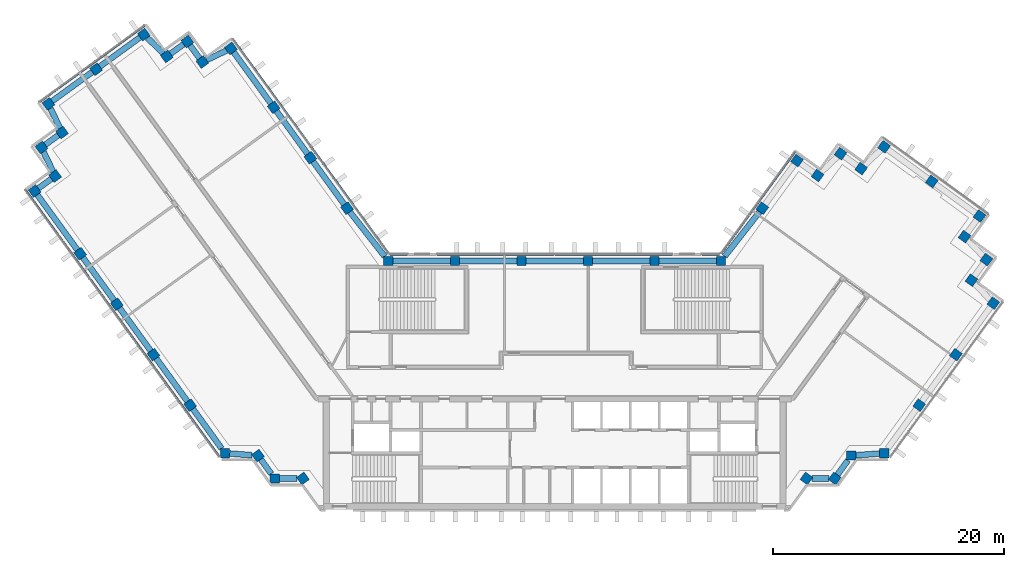
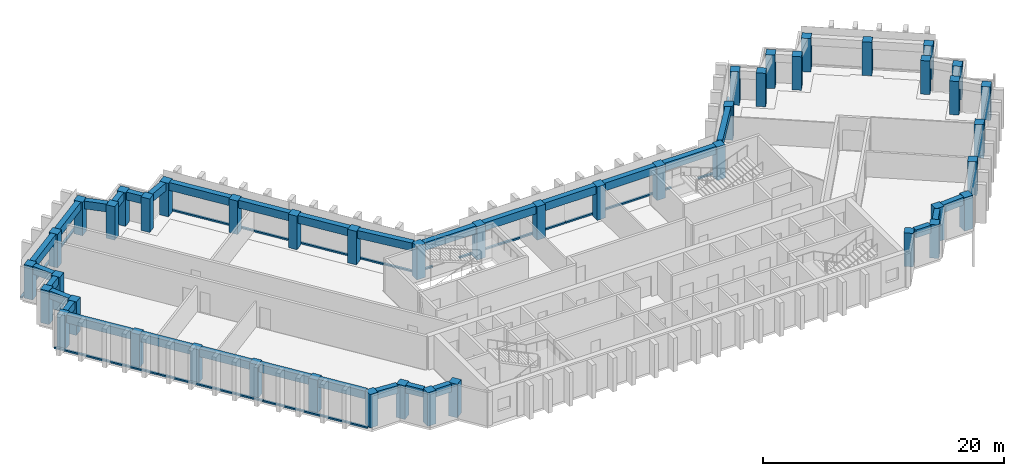
"""IFC4 building model written with IfcOpenShell, lengths in metres."""

from ifc_helpers import new_model, si_unit, direction, frame, origin, origin_2d, place, context, subcontext, project, spatial, rectangle, extrude, material, material_profile, profile_set, type_object, element, aggregate, save


model = new_model("IFC4")

# Units and contexts
model_context = context("Model", 3, precision=1e-05, world=origin(), true_north=direction((0.0, 1.0)))
body_context = subcontext(model_context, "Body", "Model", "MODEL_VIEW")
ifc_project = project(units=[si_unit("LENGTHUNIT", "METRE"), si_unit("AREAUNIT", "SQUARE_METRE"), si_unit("VOLUMEUNIT", "CUBIC_METRE"), si_unit("PLANEANGLEUNIT", "RADIAN"), si_unit("MASSUNIT", "GRAM", prefix="KILO")], contexts=[model_context])

# Site, building, storey
site_placement = place(None, origin())
site = spatial("IfcSite", under=ifc_project, at=site_placement, CompositionType="ELEMENT")
building_placement = place(site_placement, origin())
building = spatial("IfcBuilding", under=site, at=building_placement, Name="Quipu Civic Tower", CompositionType="ELEMENT")
storey_1_placement = place(building_placement, frame((0.0, 0.0, 238.0)))
storey_1 = spatial("IfcBuildingStorey", under=building, at=storey_1_placement, Name="L56", CompositionType="ELEMENT", Elevation=238.0)

# Columns
ifc_material_1 = material(Name="Concrete C50/60", Category="concrete")
ifc_material_profile_1 = material_profile(ifc_material_1, rectangle(XDim=0.800048828125, YDim=0.800048828125, at=origin_2d()), Name="RC800x800")
ifc_profile_set_1 = profile_set([ifc_material_profile_1], Name="Concrete C50/60")
column_type = type_object("IfcColumnType", Name="Perimeter column RC 800x800 C50/60", PredefinedType="COLUMN", material=ifc_profile_set_1)
for number, where, z_axis, x_axis, name in (
    (1, (-17.9736328125, 15.074951171875, 0.0), (0.0, 0.0, 1.0), (-0.587785252292, 0.809016994375, 0.0), "Column L56 W-IN-01"),
    (2, (-21.1474609375, 19.44384765625, 0.0), (0.0, 0.0, 1.0), (-0.587785252292, 0.809016994375, 0.0), "Column L56 W-IN-02"),
    (3, (-24.3212890625, 23.8125, 0.0), (0.0, 0.0, 1.0), (-0.587785252292, 0.809016994375, 0.0), "Column L56 W-IN-03"),
    (4, (-28.02001953125, 28.905029296875, 0.0), (0.0, 0.0, 1.0), (-0.809016994375, -0.587785252292, 0.0), "Column L56 T-Wi.0-W34"),
    (5, (-30.498779296875, 27.72265625, 0.0), (0.0, 0.0, 1.0), (-0.809016994375, -0.587785252292, 0.0), "Column L56 T-Wi.1-W34"),
    (6, (-31.794921875, 29.5, 0.0), (0.0, 0.0, 1.0), (-0.587785252292, 0.809016994375, 0.0), "Column L56 T-Wi.2-W34"),
    (7, (-33.573974609375, 28.20947265625, 0.0), (0.0, 0.0, 1.0), (-0.587785252292, 0.809016994375, 0.0), "Column L56 T-Wi.3-W34"),
    (8, (-35.56494140625, 30.10009765625, 0.0), (0.0, 0.0, 1.0), (-0.809016994375, -0.587785252292, 0.0), "Column L56 T-Wi.4-W34"),
    (9, (-39.690673828125, 27.10205078125, 0.0), (0.0, 0.0, 1.0), (-0.809016994375, -0.587785252292, 0.0), "Column L56 TIP-W-01-W34"),
    (10, (-43.81494140625, 24.10498046875, 0.0), (0.0, 0.0, 1.0), (-0.809016994375, -0.587785252292, 0.0), "Column L56 T-Wo.0-W34"),
    (11, (-42.635009765625, 21.626220703125, 0.0), (0.0, 0.0, 1.0), (-0.809016994375, -0.587785252292, 0.0), "Column L56 T-Wo.1-W34"),
    (12, (-44.4150390625, 20.3349609375, 0.0), (0.0, 0.0, 1.0), (0.587785252292, -0.809016994375, 0.0), "Column L56 T-Wo.2-W34"),
    (13, (-43.23095703125, 17.8544921875, 0.0), (0.0, 0.0, 1.0), (0.587785252292, -0.809016994375, 0.0), "Column L56 T-Wo.3-W34"),
    (14, (-45.010009765625, 16.56005859375, 0.0), (0.0, 0.0, 1.0), (0.587785252292, -0.809016994375, 0.0), "Column L56 T-Wo.4-W34"),
    (15, (-41.0703125, 11.137451171875, 0.0), (0.0, 0.0, 1.0), (0.587785252292, -0.809016994375, 0.0), "Column L56 W-OUT-04"),
    (16, (-37.896240234375, 6.768798828125, 0.0), (0.0, 0.0, 1.0), (0.587785252292, -0.809016994375, 0.0), "Column L56 W-OUT-03"),
    (17, (-34.722412109375, 2.39990234375, 0.0), (0.0, 0.0, 1.0), (0.587785252292, -0.809016994375, 0.0), "Column L56 W-OUT-02"),
    (18, (-31.54833984375, -1.96875, 0.0), (0.0, 0.0, 1.0), (0.587785252292, -0.809016994375, 0.0), "Column L56 W-OUT-01"),
    (19, (-28.52490234375, -6.1298828125, 0.0), (0.0, 0.0, 1.0), (1.0, 0.0, 0.0), "Column L56 J-Wo.0"),
    (20, (-25.67431640625, -6.3369140625, 0.0), (0.0, 0.0, 1.0), (0.587785252292, -0.809016994375, 0.0), "Column L56 J-Wo.1"),
    (21, (-24.235107421875, -8.31494140625, 0.0), (0.0, 0.0, 1.0), (1.0, 0.0, 0.0), "Column L56 J-Wo.2"),
    (22, (-21.791748046875, -8.31494140625, 0.0), (0.0, 0.0, 1.0), (0.587785252292, -0.809016994375, 0.0), "Column L56 J-Wo.3"),
    (23, (21.791748046875, -8.31494140625, 0.0), (0.0, 0.0, 1.0), (0.587785252292, 0.809016994375, 0.0), "Column L56 J-Eo.1"),
    (24, (24.235107421875, -8.31494140625, 0.0), (0.0, 0.0, 1.0), (0.587785252292, 0.809016994375, 0.0), "Column L56 J-Eo.2"),
    (25, (25.67431640625, -6.3369140625, 0.0), (0.0, 0.0, 1.0), (1.0, 0.0, 0.0), "Column L56 J-Eo.3"),
    (26, (28.52490234375, -6.1298828125, 0.0), (0.0, 0.0, 1.0), (1.0, 0.0, 0.0), "Column L56 J-Eo.4"),
    (27, (31.54833984375, -1.96875, 0.0), (0.0, 0.0, 1.0), (0.587785252292, 0.809016994375, 0.0), "Column L56 E-OUT-01"),
    (28, (34.722412109375, 2.39990234375, 0.0), (0.0, 0.0, 1.0), (0.587785252292, 0.809016994375, 0.0), "Column L56 E-OUT-02"),
    (29, (37.9599609375, 6.85498046875, 0.0), (0.0, 0.0, 1.0), (0.587785252292, 0.809016994375, 0.0), "Column L56 T-Eo.0-E22"),
    (30, (36.068115234375, 8.843994140625, 0.0), (0.0, 0.0, 1.0), (0.587785252292, 0.809016994375, 0.0), "Column L56 T-Eo.1-E22"),
    (31, (37.360107421875, 10.625, 0.0), (0.0, 0.0, 1.0), (0.587785252292, 0.809016994375, 0.0), "Column L56 T-Eo.2-E22"),
    (32, (35.470703125, 12.616455078125, 0.0), (0.0, 0.0, 1.0), (-0.809016994375, 0.587785252292, 0.0), "Column L56 T-Eo.3-E22"),
    (33, (36.764892578125, 14.39501953125, 0.0), (0.0, 0.0, 1.0), (-0.809016994375, 0.587785252292, 0.0), "Column L56 T-Eo.4-E22"),
    (34, (32.636962890625, 17.39306640625, 0.0), (0.0, 0.0, 1.0), (-0.809016994375, 0.587785252292, 0.0), "Column L56 TIP-E-01-E22"),
    (35, (28.510009765625, 20.389892578125, 0.0), (0.0, 0.0, 1.0), (-0.587785252292, -0.809016994375, 0.0), "Column L56 T-Ei.0-E22"),
    (36, (26.51904296875, 18.50048828125, 0.0), (0.0, 0.0, 1.0), (-0.809016994375, 0.587785252292, 0.0), "Column L56 T-Ei.1-E22"),
    (37, (24.739990234375, 19.794921875, 0.0), (0.0, 0.0, 1.0), (-0.587785252292, -0.809016994375, 0.0), "Column L56 T-Ei.2-E22"),
    (38, (22.749267578125, 17.904296875, 0.0), (0.0, 0.0, 1.0), (-0.587785252292, -0.809016994375, 0.0), "Column L56 T-Ei.3-E22"),
    (39, (20.969970703125, 19.195068359375, 0.0), (0.0, 0.0, 1.0), (-0.587785252292, -0.809016994375, 0.0), "Column L56 T-Ei.4-E22"),
    (40, (17.9736328125, 15.074951171875, 0.0), (0.0, 0.0, 1.0), (-0.587785252292, -0.809016994375, 0.0), "Column L56 E-IN-01"),
    (41, (14.395263671875, 10.5, 0.0), (0.0, 0.0, 1.0), (-1.0, 0.0, 0.0), "Column L56 J-Ei.0"),
    (42, (8.63720703125, 10.5, 0.0), (0.0, 0.0, 1.0), (-1.0, 0.0, 0.0), "Column L56 FRONT-01"),
    (43, (2.87890625, 10.5, 0.0), (0.0, 0.0, 1.0), (-1.0, 0.0, 0.0), "Column L56 FRONT-02"),
    (44, (-2.87890625, 10.5, 0.0), (0.0, 0.0, 1.0), (-1.0, 0.0, 0.0), "Column L56 FRONT-03"),
    (45, (-8.63720703125, 10.5, 0.0), (0.0, 0.0, 1.0), (-1.0, 0.0, 0.0), "Column L56 FRONT-04"),
    (46, (-14.395263671875, 10.5, 0.0), (0.0, 0.0, 1.0), (-1.0, 0.0, 0.0), "Column L56 J-Wi.0"),
):
    element("IfcColumn", number, at=place(storey_1_placement, frame(where, z_axis=z_axis, x_axis=x_axis)), inside=storey_1, type_object=column_type, Name=name, PredefinedType="COLUMN", context=body_context, shape_type="SweptSolid", body=[
        extrude(rectangle(XDim=0.800048828125, YDim=0.800048828125, at=origin_2d()), origin(), (0.0, 0.0, 1.0), 3.39990234375),
    ])

# Beams
ifc_material_2 = material(Name="Concrete C50/60", Category="concrete")
ifc_material_profile_2 = material_profile(ifc_material_2, rectangle(XDim=0.5, YDim=0.800048828125, at=origin_2d()), Name="RC500x800")
ifc_profile_set_2 = profile_set([ifc_material_profile_2], Name="Concrete C50/60")
beam_type = type_object("IfcBeamType", Name="Spandrel beam RC 500x800 C50/60", PredefinedType="SPANDREL", material=ifc_profile_set_2)
beam_1_placement = place(storey_1_placement, frame((-18.208740234375, 15.398681640625, 3.0), z_axis=(-0.58776136044, 0.809034352283, 0.0), x_axis=(-0.809034352283, -0.58776136044, 0.0)))
element("IfcBeam", 47, at=beam_1_placement, inside=storey_1, type_object=beam_type, Name="Spandrel beam L56 W-IN-01 to W-IN-02", PredefinedType="SPANDREL", context=body_context, shape_type="SweptSolid", body=[
    extrude(rectangle(XDim=0.5, YDim=0.800048828125, at=origin_2d()), origin(), (0.0, 0.0, 1.0), 4.599853515625),
])
beam_2_placement = place(storey_1_placement, frame((-21.382568359375, 19.767333984375, 3.0), z_axis=(-0.587736122681, 0.809052686848, 0.0), x_axis=(-0.809052686848, -0.587736122681, 0.0)))
element("IfcBeam", 48, at=beam_2_placement, inside=storey_1, type_object=beam_type, Name="Spandrel beam L56 W-IN-02 to W-IN-03", PredefinedType="SPANDREL", context=body_context, shape_type="SweptSolid", body=[
    extrude(rectangle(XDim=0.5, YDim=0.800048828125, at=origin_2d()), origin(), (0.0, 0.0, 1.0), 4.60009765625),
])
beam_3_placement = place(storey_1_placement, frame((-24.556396484375, 24.13623046875, 3.0), z_axis=(-0.587664254196, 0.809104890815, 0.0), x_axis=(-0.809104890815, -0.587664254196, 0.0)))
element("IfcBeam", 49, at=beam_3_placement, inside=storey_1, type_object=beam_type, Name="Spandrel beam L56 W-IN-03 to T-Wi.0-W34", PredefinedType="SPANDREL", context=body_context, shape_type="SweptSolid", body=[
    extrude(rectangle(XDim=0.5, YDim=0.800048828125, at=origin_2d()), origin(), (0.0, 0.0, 1.0), 5.493896484375),
])
beam_4_placement = place(storey_1_placement, frame((-28.38720703125, 28.72998046875, 3.0), z_axis=(-0.902584802379, -0.430512107279, 0.0), x_axis=(0.430512107279, -0.902584802379, 0.0)))
element("IfcBeam", 50, at=beam_4_placement, inside=storey_1, type_object=beam_type, Name="Spandrel beam L56 T-Wi.0-W34 to T-Wi.1-W34", PredefinedType="SPANDREL", context=body_context, shape_type="SweptSolid", body=[
    extrude(rectangle(XDim=0.5, YDim=0.800048828125, at=origin_2d()), origin(), (0.0, 0.0, 1.0), 1.9326171875),
])
beam_5_placement = place(storey_1_placement, frame((-30.734375, 28.0458984375, 3.0), z_axis=(-0.589342949835, 0.80788296645, 0.0), x_axis=(-0.80788296645, -0.589342949835, 0.0)))
element("IfcBeam", 51, at=beam_5_placement, inside=storey_1, type_object=beam_type, Name="Spandrel beam L56 T-Wi.1-W34 to T-Wi.2-W34", PredefinedType="SPANDREL", context=body_context, shape_type="SweptSolid", body=[
    extrude(rectangle(XDim=0.5, YDim=0.800048828125, at=origin_2d()), origin(), (0.0, 0.0, 1.0), 1.39990234375),
])
beam_6_placement = place(storey_1_placement, frame((-32.118896484375, 29.26513671875, 3.0), z_axis=(-0.80941533633, -0.587236590578, 0.0), x_axis=(0.587236590578, -0.80941533633, 0.0)))
element("IfcBeam", 52, at=beam_6_placement, inside=storey_1, type_object=beam_type, Name="Spandrel beam L56 T-Wi.2-W34 to T-Wi.3-W34", PredefinedType="SPANDREL", context=body_context, shape_type="SweptSolid", body=[
    extrude(rectangle(XDim=0.5, YDim=0.800048828125, at=origin_2d()), origin(), (0.0, 0.0, 1.0), 1.397705078125),
])
beam_7_placement = place(storey_1_placement, frame((-33.868896484375, 28.489501953125, 3.0), z_axis=(-0.72519185421, 0.68854685722, 0.0), x_axis=(-0.68854685722, -0.72519185421, 0.0)))
element("IfcBeam", 53, at=beam_7_placement, inside=storey_1, type_object=beam_type, Name="Spandrel beam L56 T-Wi.3-W34 to T-Wi.4-W34", PredefinedType="SPANDREL", context=body_context, shape_type="SweptSolid", body=[
    extrude(rectangle(XDim=0.5, YDim=0.800048828125, at=origin_2d()), origin(), (0.0, 0.0, 1.0), 1.93212890625),
])
beam_8_placement = place(storey_1_placement, frame((-35.888671875, 29.86474609375, 3.0), z_axis=(-0.808983997561, -0.58783066583, 0.0), x_axis=(0.58783066583, -0.808983997561, 0.0)))
element("IfcBeam", 54, at=beam_8_placement, inside=storey_1, type_object=beam_type, Name="Spandrel beam L56 T-Wi.4-W34 to TIP-W-01-W34", PredefinedType="SPANDREL", context=body_context, shape_type="SweptSolid", body=[
    extrude(rectangle(XDim=0.5, YDim=0.800048828125, at=origin_2d()), origin(), (0.0, 0.0, 1.0), 4.2998046875),
])
beam_9_placement = place(storey_1_placement, frame((-40.014404296875, 26.866943359375, 3.0), z_axis=(-0.808947267178, -0.587881211578, 0.0), x_axis=(0.587881211578, -0.808947267178, 0.0)))
element("IfcBeam", 55, at=beam_9_placement, inside=storey_1, type_object=beam_type, Name="Spandrel beam L56 TIP-W-01-W34 to T-Wo.0-W34", PredefinedType="SPANDREL", context=body_context, shape_type="SweptSolid", body=[
    extrude(rectangle(XDim=0.5, YDim=0.800048828125, at=origin_2d()), origin(), (0.0, 0.0, 1.0), 4.29833984375),
])
beam_10_placement = place(storey_1_placement, frame((-43.64013671875, 23.737548828125, 3.0), z_axis=(0.429889421342, -0.902881545618, 0.0), x_axis=(0.902881545618, 0.429889421342, 0.0)))
element("IfcBeam", 56, at=beam_10_placement, inside=storey_1, type_object=beam_type, Name="Spandrel beam L56 T-Wo.0-W34 to T-Wo.1-W34", PredefinedType="SPANDREL", context=body_context, shape_type="SweptSolid", body=[
    extrude(rectangle(XDim=0.5, YDim=0.800048828125, at=origin_2d()), origin(), (0.0, 0.0, 1.0), 1.931396484375),
])
beam_11_placement = place(storey_1_placement, frame((-42.958740234375, 21.391357421875, 3.0), z_axis=(-0.809467380413, -0.587164849125, 0.0), x_axis=(0.587164849125, -0.809467380413, 0.0)))
element("IfcBeam", 57, at=beam_11_placement, inside=storey_1, type_object=beam_type, Name="Spandrel beam L56 T-Wo.1-W34 to T-Wo.2-W34", PredefinedType="SPANDREL", context=body_context, shape_type="SweptSolid", body=[
    extrude(rectangle(XDim=0.5, YDim=0.800048828125, at=origin_2d()), origin(), (0.0, 0.0, 1.0), 1.399169921875),
])
beam_12_placement = place(storey_1_placement, frame((-44.23974609375, 19.9677734375, 3.0), z_axis=(0.430785642718, -0.902454281406, 0.0), x_axis=(0.902454281406, 0.430785642718, 0.0)))
element("IfcBeam", 58, at=beam_12_placement, inside=storey_1, type_object=beam_type, Name="Spandrel beam L56 T-Wo.2-W34 to T-Wo.3-W34", PredefinedType="SPANDREL", context=body_context, shape_type="SweptSolid", body=[
    extrude(rectangle(XDim=0.5, YDim=0.800048828125, at=origin_2d()), origin(), (0.0, 0.0, 1.0), 1.934814453125),
])
beam_13_placement = place(storey_1_placement, frame((-43.554443359375, 17.619140625, 3.0), z_axis=(-0.808600329101, -0.588358315805, 0.0), x_axis=(0.588358315805, -0.808600329101, 0.0)))
element("IfcBeam", 59, at=beam_13_placement, inside=storey_1, type_object=beam_type, Name="Spandrel beam L56 T-Wo.3-W34 to T-Wo.4-W34", PredefinedType="SPANDREL", context=body_context, shape_type="SweptSolid", body=[
    extrude(rectangle(XDim=0.5, YDim=0.800048828125, at=origin_2d()), origin(), (0.0, 0.0, 1.0), 1.400146484375),
])
beam_14_placement = place(storey_1_placement, frame((-44.77490234375, 16.236328125, 3.0), z_axis=(0.58780026889, -0.809006083965, 0.0), x_axis=(0.809006083965, 0.58780026889, 0.0)))
element("IfcBeam", 60, at=beam_14_placement, inside=storey_1, type_object=beam_type, Name="Spandrel beam L56 T-Wo.4-W34 to W-OUT-04", PredefinedType="SPANDREL", context=body_context, shape_type="SweptSolid", body=[
    extrude(rectangle(XDim=0.5, YDim=0.800048828125, at=origin_2d()), origin(), (0.0, 0.0, 1.0), 5.902587890625),
])
beam_15_placement = place(storey_1_placement, frame((-40.835205078125, 10.81396484375, 3.0), z_axis=(0.587770861189, -0.809027449928, 0.0), x_axis=(0.809027449928, 0.587770861189, 0.0)))
element("IfcBeam", 61, at=beam_15_placement, inside=storey_1, type_object=beam_type, Name="Spandrel beam L56 W-OUT-04 to W-OUT-03", PredefinedType="SPANDREL", context=body_context, shape_type="SweptSolid", body=[
    extrude(rectangle(XDim=0.5, YDim=0.800048828125, at=origin_2d()), origin(), (0.0, 0.0, 1.0), 4.60009765625),
])
beam_16_placement = place(storey_1_placement, frame((-37.6611328125, 6.445068359375, 3.0), z_axis=(0.58776136044, -0.809034352283, 0.0), x_axis=(0.809034352283, 0.58776136044, 0.0)))
element("IfcBeam", 62, at=beam_16_placement, inside=storey_1, type_object=beam_type, Name="Spandrel beam L56 W-OUT-03 to W-OUT-02", PredefinedType="SPANDREL", context=body_context, shape_type="SweptSolid", body=[
    extrude(rectangle(XDim=0.5, YDim=0.800048828125, at=origin_2d()), origin(), (0.0, 0.0, 1.0), 4.599853515625),
])
beam_17_placement = place(storey_1_placement, frame((-34.4873046875, 2.076416015625, 3.0), z_axis=(0.587796098864, -0.809009113768, 0.0), x_axis=(0.809009113768, 0.587796098864, 0.0)))
element("IfcBeam", 63, at=beam_17_placement, inside=storey_1, type_object=beam_type, Name="Spandrel beam L56 W-OUT-02 to W-OUT-01", PredefinedType="SPANDREL", context=body_context, shape_type="SweptSolid", body=[
    extrude(rectangle(XDim=0.5, YDim=0.800048828125, at=origin_2d()), origin(), (0.0, 0.0, 1.0), 4.60009765625),
])
beam_18_placement = place(storey_1_placement, frame((-31.313232421875, -2.292236328125, 3.0), z_axis=(0.58776850526, -0.809029161541, 0.0), x_axis=(0.809029161541, 0.58776850526, 0.0)))
element("IfcBeam", 64, at=beam_18_placement, inside=storey_1, type_object=beam_type, Name="Spandrel beam L56 W-OUT-01 to J-Wo.0", PredefinedType="SPANDREL", context=body_context, shape_type="SweptSolid", body=[
    extrude(rectangle(XDim=0.5, YDim=0.800048828125, at=origin_2d()), origin(), (0.0, 0.0, 1.0), 4.249267578125),
])
beam_19_placement = place(storey_1_placement, frame((-28.125, -6.158935546875, 3.0), z_axis=(0.997370796499, -0.072467194581, 0.0), x_axis=(0.072467194581, 0.997370796499, 0.0)))
element("IfcBeam", 65, at=beam_19_placement, inside=storey_1, type_object=beam_type, Name="Spandrel beam L56 J-Wo.0 to J-Wo.1", PredefinedType="SPANDREL", context=body_context, shape_type="SweptSolid", body=[
    extrude(rectangle(XDim=0.5, YDim=0.800048828125, at=origin_2d()), origin(), (0.0, 0.0, 1.0), 1.933837890625),
])
beam_20_placement = place(storey_1_placement, frame((-25.43896484375, -6.660400390625, 3.0), z_axis=(0.588330737135, -0.808620395329, 0.0), x_axis=(0.808620395329, 0.588330737135, 0.0)))
element("IfcBeam", 66, at=beam_20_placement, inside=storey_1, type_object=beam_type, Name="Spandrel beam L56 J-Wo.1 to J-Wo.2", PredefinedType="SPANDREL", context=body_context, shape_type="SweptSolid", body=[
    extrude(rectangle(XDim=0.5, YDim=0.800048828125, at=origin_2d()), origin(), (0.0, 0.0, 1.0), 1.551513671875),
])
beam_21_placement = place(storey_1_placement, frame((-23.8349609375, -8.31494140625, 3.0), z_axis=(1.0, 0.0, 0.0), x_axis=(0.0, 1.0, 0.0)))
element("IfcBeam", 67, at=beam_21_placement, inside=storey_1, type_object=beam_type, Name="Spandrel beam L56 J-Wo.2 to J-Wo.3", PredefinedType="SPANDREL", context=body_context, shape_type="SweptSolid", body=[
    extrude(rectangle(XDim=0.5, YDim=0.800048828125, at=origin_2d()), origin(), (0.0, 0.0, 1.0), 1.548828125),
])
beam_22_placement = place(storey_1_placement, frame((22.2861328125, -8.31494140625, 3.0), z_axis=(1.0, 0.0, 0.0), x_axis=(0.0, 1.0, 0.0)))
element("IfcBeam", 68, at=beam_22_placement, inside=storey_1, type_object=beam_type, Name="Spandrel beam L56 J-Eo.1 to J-Eo.2", PredefinedType="SPANDREL", context=body_context, shape_type="SweptSolid", body=[
    extrude(rectangle(XDim=0.5, YDim=0.800048828125, at=origin_2d()), origin(), (0.0, 0.0, 1.0), 1.454345703125),
])
beam_23_placement = place(storey_1_placement, frame((24.470458984375, -7.991455078125, 3.0), z_axis=(0.588405601119, 0.808565920981, 0.0), x_axis=(-0.808565920981, 0.588405601119, 0.0)))
element("IfcBeam", 69, at=beam_23_placement, inside=storey_1, type_object=beam_type, Name="Spandrel beam L56 J-Eo.2 to J-Eo.3", PredefinedType="SPANDREL", context=body_context, shape_type="SweptSolid", body=[
    extrude(rectangle(XDim=0.5, YDim=0.800048828125, at=origin_2d()), origin(), (0.0, 0.0, 1.0), 1.55126953125),
])
beam_24_placement = place(storey_1_placement, frame((26.074462890625, -6.307861328125, 3.0), z_axis=(0.997372997143, 0.072436900614, 0.0), x_axis=(-0.072436900614, 0.997372997143, 0.0)))
element("IfcBeam", 70, at=beam_24_placement, inside=storey_1, type_object=beam_type, Name="Spandrel beam L56 J-Eo.3 to J-Eo.4", PredefinedType="SPANDREL", context=body_context, shape_type="SweptSolid", body=[
    extrude(rectangle(XDim=0.5, YDim=0.800048828125, at=origin_2d()), origin(), (0.0, 0.0, 1.0), 2.055908203125),
])
beam_25_placement = place(storey_1_placement, frame((17.72705078125, 14.759765625, 3.0), z_axis=(-0.616090612932, -0.787675286306, 0.0), x_axis=(0.787675286306, -0.616090612932, 0.0)))
element("IfcBeam", 71, at=beam_25_placement, inside=storey_1, type_object=beam_type, Name="Spandrel beam L56 E-IN-01 to J-Ei.0", PredefinedType="SPANDREL", context=body_context, shape_type="SweptSolid", body=[
    extrude(rectangle(XDim=0.5, YDim=0.800048828125, at=origin_2d()), origin(), (0.0, 0.0, 1.0), 4.900390625),
])
for number, where, z_axis, x_axis, name in (
    (72, (13.9951171875, 10.5, 3.0), (-1.0, 0.0, 0.0), (0.0, -1.0, 0.0), "Spandrel beam L56 J-Ei.0 to FRONT-01"),
    (73, (8.237060546875, 10.5, 3.0), (-1.0, 0.0, 0.0), (0.0, -1.0, 0.0), "Spandrel beam L56 FRONT-01 to FRONT-02"),
    (74, (2.47900390625, 10.5, 3.0), (-1.0, 0.0, 0.0), (0.0, -1.0, 0.0), "Spandrel beam L56 FRONT-02 to FRONT-03"),
    (75, (-3.279052734375, 10.5, 3.0), (-1.0, 0.0, 0.0), (0.0, -1.0, 0.0), "Spandrel beam L56 FRONT-03 to FRONT-04"),
    (76, (-9.037109375, 10.5, 3.0), (-1.0, 0.0, 0.0), (0.0, -1.0, 0.0), "Spandrel beam L56 FRONT-04 to J-Wi.0"),
):
    element("IfcBeam", number, at=place(storey_1_placement, frame(where, z_axis=z_axis, x_axis=x_axis)), inside=storey_1, type_object=beam_type, Name=name, PredefinedType="SPANDREL", context=body_context, shape_type="SweptSolid", body=[
        extrude(rectangle(XDim=0.5, YDim=0.800048828125, at=origin_2d()), origin(), (0.0, 0.0, 1.0), 4.9580078125),
    ])
beam_26_placement = place(storey_1_placement, frame((-14.7080078125, 10.89990234375, 3.0), z_axis=(-0.616090612932, 0.787675286306, 0.0), x_axis=(-0.787675286306, -0.616090612932, 0.0)))
element("IfcBeam", 77, at=beam_26_placement, inside=storey_1, type_object=beam_type, Name="Spandrel beam L56 J-Wi.0 to W-IN-01", PredefinedType="SPANDREL", context=body_context, shape_type="SweptSolid", body=[
    extrude(rectangle(XDim=0.5, YDim=0.800048828125, at=origin_2d()), origin(), (0.0, 0.0, 1.0), 4.900390625),
])

# Storey
storey_2_placement = place(building_placement, frame((0.0, 0.0, 234.0)))
storey_2 = spatial("IfcBuildingStorey", under=building, at=storey_2_placement, Name="L55", CompositionType="ELEMENT", Elevation=234.0)

# Curtain wall, members
ifc_material_3 = material(Name="Insulated glass unit", Category="glass")
curtain_wall_type = type_object("IfcCurtainWallType", Name="Office curtain wall CW1", PredefinedType="NOTDEFINED", material=ifc_material_3)
curtain_wall_1_placement = place(storey_2_placement, origin())
curtain_wall_1 = element("IfcCurtainWall", 78, at=curtain_wall_1_placement, inside=storey_2, type_object=curtain_wall_type, Name="Office curtain wall CW1 L54 run 1", PredefinedType="NOTDEFINED")
ifc_material_4 = material(Name="Anodised aluminium", Category="aluminium")
ifc_material_profile_3 = material_profile(ifc_material_4, rectangle(XDim=0.199951171875, YDim=0.159912109375, at=origin_2d()), Name="RECT 200x160")
ifc_profile_set_3 = profile_set([ifc_material_profile_3], Name="Anodised aluminium")
member_type = type_object("IfcMemberType", Name="Transom CW1", PredefinedType="USERDEFINED", material=ifc_profile_set_3)
member_1_placement = place(storey_1_placement, frame((-14.39111328125, 11.164794921875, 0.080078125), z_axis=(-0.587799878401, 0.809006367683, 0.0), x_axis=(-0.809006367683, -0.587799878401, 0.0)))
member_1 = element("IfcMember", 79, at=member_1_placement, inside=storey_1, type_object=member_type, Name="CW1 transom 1.3", ObjectType="TRANSOM", PredefinedType="USERDEFINED", context=body_context, shape_type="SweptSolid", body=[
    extrude(rectangle(XDim=0.199951171875, YDim=0.159912109375, at=origin_2d()), origin(), (0.0, 0.0, 1.0), 11.402099609375),
])
member_2_placement = place(storey_1_placement, frame((-21.140380859375, 20.453857421875, 0.080078125), z_axis=(-0.587775682251, 0.809023947331, 0.0), x_axis=(-0.809023947331, -0.587775682251, 0.0)))
member_2 = element("IfcMember", 80, at=member_2_placement, inside=storey_1, type_object=member_type, Name="CW1 transom 2.3", ObjectType="TRANSOM", PredefinedType="USERDEFINED", context=body_context, shape_type="SweptSolid", body=[
    extrude(rectangle(XDim=0.199951171875, YDim=0.159912109375, at=origin_2d()), origin(), (0.0, 0.0, 1.0), 11.402099609375),
])
aggregate(curtain_wall_1, [member_1, member_2])

# Curtain wall, member
curtain_wall_2_placement = place(storey_2_placement, origin())
curtain_wall_2 = element("IfcCurtainWall", 81, at=curtain_wall_2_placement, inside=storey_2, type_object=curtain_wall_type, Name="Office curtain wall CW1 L54 run 6", PredefinedType="NOTDEFINED")
member_3_placement = place(storey_1_placement, frame((-35.496826171875, 30.890869140625, 0.080078125), z_axis=(-0.809014959561, -0.587788052963, 0.0), x_axis=(0.587788052963, -0.809014959561, 0.0)))
member_3 = element("IfcMember", 82, at=member_3_placement, inside=storey_1, type_object=member_type, Name="CW1 transom 1.3", ObjectType="TRANSOM", PredefinedType="USERDEFINED", context=body_context, shape_type="SweptSolid", body=[
    extrude(rectangle(XDim=0.199951171875, YDim=0.159912109375, at=origin_2d()), origin(), (0.0, 0.0, 1.0), 11.239990234375),
])
aggregate(curtain_wall_2, [member_3])

# Curtain wall, members
curtain_wall_3_placement = place(storey_2_placement, origin())
curtain_wall_3 = element("IfcCurtainWall", 83, at=curtain_wall_3_placement, inside=storey_2, type_object=curtain_wall_type, Name="Office curtain wall CW1 L54 run 11", PredefinedType="NOTDEFINED")
member_4_placement = place(storey_1_placement, frame((-45.802490234375, 16.629638671875, 0.080078125), z_axis=(0.587783783239, -0.809018061703, 0.0), x_axis=(0.809018061703, 0.587783783239, 0.0)))
member_4 = element("IfcMember", 84, at=member_4_placement, inside=storey_1, type_object=member_type, Name="CW1 transom 1.3", ObjectType="TRANSOM", PredefinedType="USERDEFINED", context=body_context, shape_type="SweptSolid", body=[
    extrude(rectangle(XDim=0.199951171875, YDim=0.159912109375, at=origin_2d()), origin(), (0.0, 0.0, 1.0), 9.431884765625),
])
member_5_placement = place(storey_1_placement, frame((-40.21142578125, 8.934326171875, 0.080078125), z_axis=(0.587773158676, -0.809025780763, 0.0), x_axis=(0.809025780763, 0.587773158676, 0.0)))
member_5 = element("IfcMember", 85, at=member_5_placement, inside=storey_1, type_object=member_type, Name="CW1 transom 2.3", ObjectType="TRANSOM", PredefinedType="USERDEFINED", context=body_context, shape_type="SweptSolid", body=[
    extrude(rectangle(XDim=0.199951171875, YDim=0.159912109375, at=origin_2d()), origin(), (0.0, 0.0, 1.0), 9.471923828125),
])
member_6_placement = place(storey_1_placement, frame((-34.596923828125, 1.20654296875, 0.080078125), z_axis=(0.587783783239, -0.809018061703, 0.0), x_axis=(0.809018061703, 0.587783783239, 0.0)))
member_6 = element("IfcMember", 86, at=member_6_placement, inside=storey_1, type_object=member_type, Name="CW1 transom 3.3", ObjectType="TRANSOM", PredefinedType="USERDEFINED", context=body_context, shape_type="SweptSolid", body=[
    extrude(rectangle(XDim=0.199951171875, YDim=0.159912109375, at=origin_2d()), origin(), (0.0, 0.0, 1.0), 9.431884765625),
])
aggregate(curtain_wall_3, [member_4, member_5, member_6])

# Curtain wall, member
curtain_wall_4_placement = place(storey_2_placement, origin())
curtain_wall_4 = element("IfcCurtainWall", 87, at=curtain_wall_4_placement, inside=storey_2, type_object=curtain_wall_type, Name="Office curtain wall CW1 L54 run 26", PredefinedType="NOTDEFINED")
member_7_placement = place(storey_1_placement, frame((20.788818359375, 19.97021484375, 0.080078125), z_axis=(-0.587796859727, -0.809008560953, 0.0), x_axis=(0.809008560953, -0.587796859727, 0.0)))
member_7 = element("IfcMember", 88, at=member_7_placement, inside=storey_1, type_object=member_type, Name="CW1 transom 1.3", ObjectType="TRANSOM", PredefinedType="USERDEFINED", context=body_context, shape_type="SweptSolid", body=[
    extrude(rectangle(XDim=0.199951171875, YDim=0.159912109375, at=origin_2d()), origin(), (0.0, 0.0, 1.0), 10.88427734375),
])
aggregate(curtain_wall_4, [member_7])

curtain_wall_5_placement = place(storey_2_placement, origin())
curtain_wall_5 = element("IfcCurtainWall", 89, at=curtain_wall_5_placement, inside=storey_2, type_object=curtain_wall_type, Name="Office curtain wall CW1 L54 run 27", PredefinedType="NOTDEFINED")
member_8_placement = place(storey_1_placement, frame((14.26416015625, 11.10009765625, 0.080078125), z_axis=(-1.0, 0.0, 0.0), x_axis=(0.0, -1.0, 0.0)))
member_8 = element("IfcMember", 90, at=member_8_placement, inside=storey_1, type_object=member_type, Name="CW1 transom 1.3", ObjectType="TRANSOM", PredefinedType="USERDEFINED", context=body_context, shape_type="SweptSolid", body=[
    extrude(rectangle(XDim=0.199951171875, YDim=0.159912109375, at=origin_2d()), origin(), (0.0, 0.0, 1.0), 1.529052734375),
])
aggregate(curtain_wall_5, [member_8])

# Curtain wall, members
curtain_wall_6_placement = place(storey_2_placement, origin())
curtain_wall_6 = element("IfcCurtainWall", 91, at=curtain_wall_6_placement, inside=storey_2, type_object=curtain_wall_type, Name="Office curtain wall CW1 L54 run 29", PredefinedType="NOTDEFINED")
member_9_placement = place(storey_1_placement, frame((10.18359375, 11.10009765625, 0.080078125), z_axis=(-1.0, 0.0, 0.0), x_axis=(0.0, -1.0, 0.0)))
member_9 = element("IfcMember", 92, at=member_9_placement, inside=storey_1, type_object=member_type, Name="CW1 transom 1.3", ObjectType="TRANSOM", PredefinedType="USERDEFINED", context=body_context, shape_type="SweptSolid", body=[
    extrude(rectangle(XDim=0.199951171875, YDim=0.159912109375, at=origin_2d()), origin(), (0.0, 0.0, 1.0), 10.1435546875),
])
member_10_placement = place(storey_1_placement, frame((-0.0400390625, 11.10009765625, 0.080078125), z_axis=(-1.0, 0.0, 0.0), x_axis=(0.0, -1.0, 0.0)))
member_10 = element("IfcMember", 93, at=member_10_placement, inside=storey_1, type_object=member_type, Name="CW1 transom 2.3", ObjectType="TRANSOM", PredefinedType="USERDEFINED", context=body_context, shape_type="SweptSolid", body=[
    extrude(rectangle(XDim=0.199951171875, YDim=0.159912109375, at=origin_2d()), origin(), (0.0, 0.0, 1.0), 10.1435546875),
])
aggregate(curtain_wall_6, [member_9, member_10])

# Curtain wall, member
curtain_wall_7_placement = place(storey_2_placement, origin())
curtain_wall_7 = element("IfcCurtainWall", 94, at=curtain_wall_7_placement, inside=storey_2, type_object=curtain_wall_type, Name="Office curtain wall CW1 L54 run 31", PredefinedType="NOTDEFINED")
member_11_placement = place(storey_1_placement, frame((-12.735107421875, 11.10009765625, 0.080078125), z_axis=(-1.0, 0.0, 0.0), x_axis=(0.0, -1.0, 0.0)))
member_11 = element("IfcMember", 95, at=member_11_placement, inside=storey_1, type_object=member_type, Name="CW1 transom 1.3", ObjectType="TRANSOM", PredefinedType="USERDEFINED", context=body_context, shape_type="SweptSolid", body=[
    extrude(rectangle(XDim=0.199951171875, YDim=0.159912109375, at=origin_2d()), origin(), (0.0, 0.0, 1.0), 1.529052734375),
])
aggregate(curtain_wall_7, [member_11])

save(model, "model.ifc")
